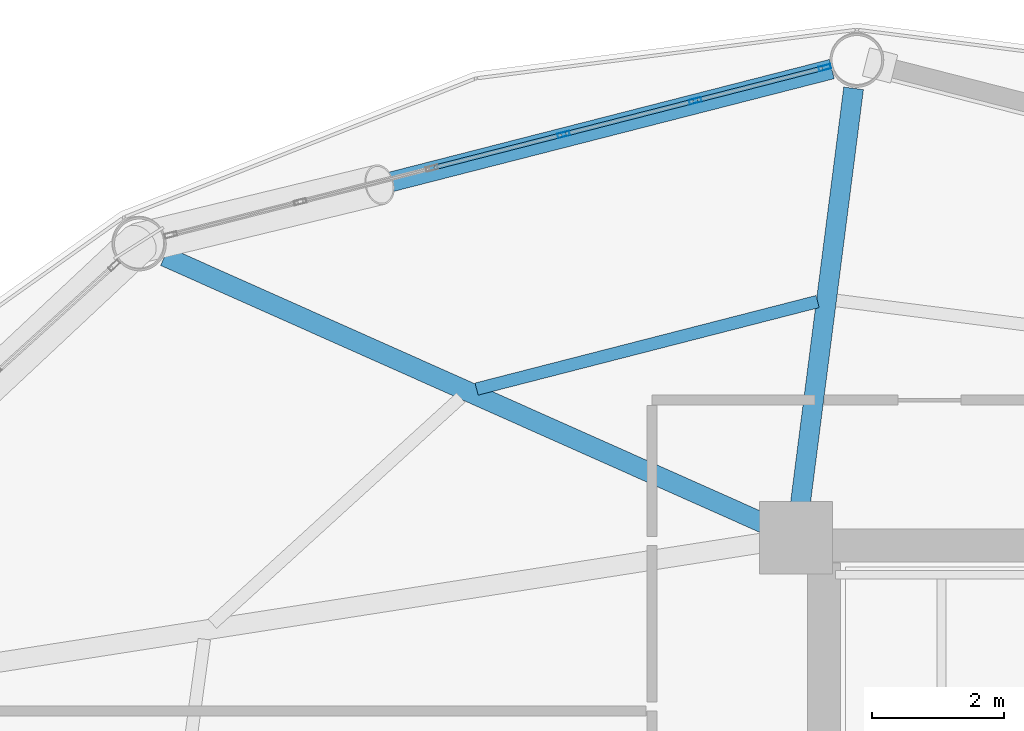
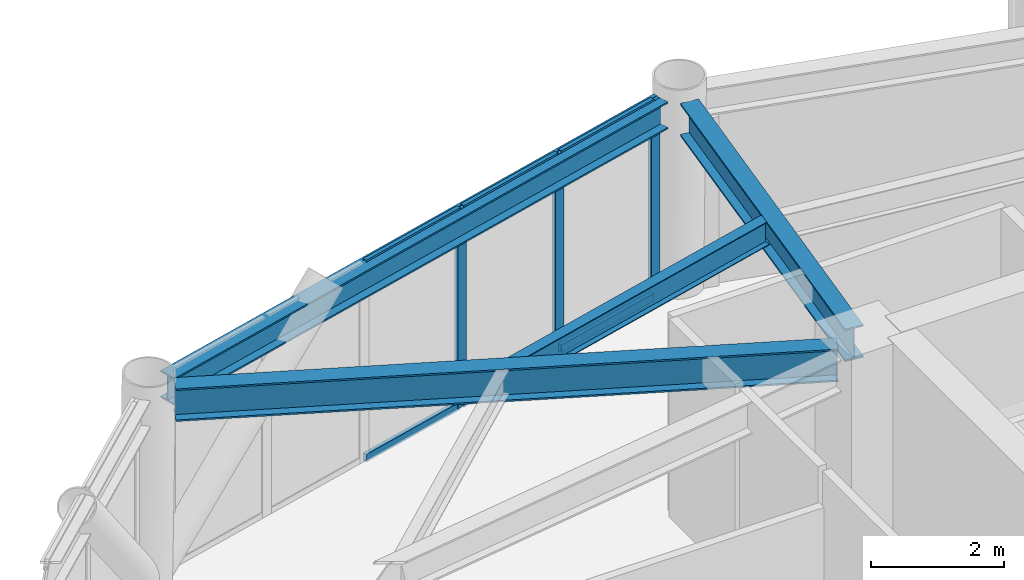
# One storey, part 17 of 26: 9 members, 4 beams, 1 element without a shape of its own.
"""IFC4 building model written with IfcOpenShell, lengths in metres."""

from ifc_helpers import new_model, si_unit, direction, frame, origin, origin_2d, place, context, subcontext, project, spatial, hollow_rectangle, i_section, extrude, material, layer, layer_set, material_profile, profile_set, type_object, element, aggregate, save


model = new_model("IFC4")

# Units and contexts
model_context = context("Model", 3, precision=1e-05, world=origin(), true_north=direction((0.0, 1.0)))
body_context = subcontext(model_context, "Body", "Model", "MODEL_VIEW")
ifc_project = project(units=[si_unit("LENGTHUNIT", "METRE"), si_unit("AREAUNIT", "SQUARE_METRE"), si_unit("VOLUMEUNIT", "CUBIC_METRE"), si_unit("PLANEANGLEUNIT", "RADIAN"), si_unit("MASSUNIT", "GRAM", prefix="KILO")], contexts=[model_context])

# Site, building, storey
site_placement = place(None, origin())
site = spatial("IfcSite", under=ifc_project, at=site_placement, CompositionType="ELEMENT")
building_placement = place(site_placement, origin())
building = spatial("IfcBuilding", under=site, at=building_placement, Name="Varnakorn Sky Granary", CompositionType="ELEMENT")
storey_placement = place(building_placement, frame((0.0, 0.0, 87.60009765625)))
storey = spatial("IfcBuildingStorey", under=building, at=storey_placement, Name="L21", CompositionType="ELEMENT", Elevation=87.60009765625)

# Beams
ifc_material_1 = material(Name="Steel S355JR", Category="steel")
ifc_material_profile_1 = material_profile(ifc_material_1, i_section(OverallWidth=0.300048828125, OverallDepth=0.60009765625, WebThickness=0.015380859375, FlangeThickness=0.030029296875, at=origin_2d()), Name="HE 600 B")
ifc_profile_set_1 = profile_set([ifc_material_profile_1], Name="Steel S355JR")
beam_type_1 = type_object("IfcBeamType", Name="BM-RAD-Z2", PredefinedType="BEAM", material=ifc_profile_set_1)
beam_1_placement = place(storey_placement, frame((-2.36669921875, 13.03662109375, 3.33984375), z_axis=(0.127057985668, 0.991895290985, 0.0), x_axis=(-0.991895290985, 0.127057985668, 0.0)))
element("IfcBeam", 1, at=beam_1_placement, inside=storey, type_object=beam_type_1, Name="Radial Floor Girder RG04 L21", PredefinedType="BEAM", context=body_context, shape_type="SweptSolid", body=[
    extrude(i_section(OverallWidth=0.300048828125, OverallDepth=0.60009765625, WebThickness=0.015380859375, FlangeThickness=0.030029296875, at=origin_2d()), origin(), (0.0, 0.0, 1.0), 6.42919921875),
])
beam_2_placement = place(storey_placement, frame((-2.8037109375, 12.791015625, 3.33984375), z_axis=(-0.913458910363, 0.406930975816, 0.0), x_axis=(-0.406930975816, -0.913458910363, 0.0)))
element("IfcBeam", 2, at=beam_2_placement, inside=storey, type_object=beam_type_1, Name="Radial Floor Girder RG05 L21", PredefinedType="BEAM", context=body_context, shape_type="SweptSolid", body=[
    extrude(i_section(OverallWidth=0.300048828125, OverallDepth=0.60009765625, WebThickness=0.015380859375, FlangeThickness=0.030029296875, at=origin_2d()), origin(), (0.0, 0.0, 1.0), 10.03076171875),
])
ifc_material_profile_2 = material_profile(ifc_material_1, i_section(OverallWidth=0.18994140625, OverallDepth=0.449951171875, WebThickness=0.009521484375, FlangeThickness=0.0146484375, at=origin_2d()), Name="IPE 450")
ifc_profile_set_2 = profile_set([ifc_material_profile_2], Name="Steel S355JR")
beam_type_2 = type_object("IfcBeamType", Name="BM-SEC-Z2", PredefinedType="BEAM", material=ifc_profile_set_2)
beam_3_placement = place(storey_placement, frame((-2.09375, 16.190185546875, 3.414794921875), z_axis=(-0.968596205517, -0.248639077096, 0.0), x_axis=(0.248639077096, -0.968596205517, 0.0)))
element("IfcBeam", 3, at=beam_3_placement, inside=storey, type_object=beam_type_2, Name="Secondary Floor Chord Beam MSB04 L21", PredefinedType="BEAM", context=body_context, shape_type="SweptSolid", body=[
    extrude(i_section(OverallWidth=0.18994140625, OverallDepth=0.449951171875, WebThickness=0.009521484375, FlangeThickness=0.0146484375, at=origin_2d()), origin(), (0.0, 0.0, 1.0), 5.322998046875),
])
ifc_material_profile_3 = material_profile(ifc_material_1, i_section(OverallWidth=0.300048828125, OverallDepth=0.5, WebThickness=0.014404296875, FlangeThickness=0.028076171875, at=origin_2d()), Name="HE 500 B")
ifc_profile_set_3 = profile_set([ifc_material_profile_3], Name="Steel S355JR")
beam_type_3 = type_object("IfcBeamType", Name="BM-SPD-Z2", PredefinedType="SPANDREL", material=ifc_profile_set_3)
beam_4_placement = place(storey_placement, frame((-1.87939453125, 19.704833984375, 3.389892578125), z_axis=(-0.968782625978, -0.247911725424, 0.0), x_axis=(0.247911725424, -0.968782625978, 0.0)))
element("IfcBeam", 4, at=beam_4_placement, inside=storey, type_object=beam_type_3, Name="Perimeter Spandrel Ring Beam RB04 L21", PredefinedType="SPANDREL", context=body_context, shape_type="SweptSolid", body=[
    extrude(i_section(OverallWidth=0.300048828125, OverallDepth=0.5, WebThickness=0.014404296875, FlangeThickness=0.028076171875, at=origin_2d()), origin(), (0.0, 0.0, 1.0), 10.389404296875),
])

# Curtain wall, members
ifc_material_2 = material(Name="Anodised Bronze Aluminium Alloy 6063-T6", Category="aluminium")
ifc_layer = layer(ifc_material_2, 0.18994140625, Name="Anodised Bronze Aluminium Alloy 6063-T6")
ifc_layer_set = layer_set([ifc_layer], Name="Anodised Bronze Aluminium Alloy 6063-T6")
curtain_wall_type = type_object("IfcCurtainWallType", Name="CW-FRM-1", PredefinedType="USERDEFINED", material=ifc_layer_set)
curtain_wall_placement = place(storey_placement, origin())
curtain_wall = element("IfcCurtainWall", 5, at=curtain_wall_placement, inside=storey, type_object=curtain_wall_type, Name="Unitised Curtain Wall CW3 CW-L21-B04", ObjectType="CURTAIN WALL", PredefinedType="USERDEFINED")
ifc_material_profile_4 = material_profile(ifc_material_2, hollow_rectangle(XDim=0.070068359375, YDim=0.18505859375, WallThickness=0.00390625, at=origin_2d()), Name="ALU MULL 70x185")
ifc_profile_set_4 = profile_set([ifc_material_profile_4], Name="Anodised Bronze Aluminium Alloy 6063-T6")
member_type_1 = type_object("IfcMemberType", Name="CW-FRM-1-MULL", PredefinedType="MULLION", material=ifc_profile_set_4)
member_1_placement = place(storey_placement, frame((-5.933349609375, 18.71630859375, 0.0), z_axis=(0.0, 0.0, 1.0), x_axis=(-0.247728719051, 0.96882943894, 0.0)))
member_1 = element("IfcMember", 6, at=member_1_placement, type_object=member_type_1, Name="CW3 mullion 4", PredefinedType="MULLION", context=body_context, shape_type="SweptSolid", body=[
    extrude(hollow_rectangle(XDim=0.070068359375, YDim=0.18505859375, WallThickness=0.00390625, at=origin_2d()), origin(), (0.0, 0.0, 1.0), 3.639892578125),
])
member_2_placement = place(storey_placement, frame((-3.942626953125, 19.225341796875, 0.0), z_axis=(0.0, 0.0, 1.0), x_axis=(-0.247728719051, 0.96882943894, 0.0)))
member_2 = element("IfcMember", 7, at=member_2_placement, type_object=member_type_1, Name="CW3 mullion 5", PredefinedType="MULLION", context=body_context, shape_type="SweptSolid", body=[
    extrude(hollow_rectangle(XDim=0.070068359375, YDim=0.18505859375, WallThickness=0.00390625, at=origin_2d()), origin(), (0.0, 0.0, 1.0), 3.639892578125),
])
member_3_placement = place(storey_placement, frame((-1.98583984375, 19.725830078125, 0.0), z_axis=(0.0, 0.0, 1.0), x_axis=(-0.247728719051, 0.96882943894, 0.0)))
member_3 = element("IfcMember", 8, at=member_3_placement, type_object=member_type_1, Name="CW3 mullion 6", PredefinedType="MULLION", context=body_context, shape_type="SweptSolid", body=[
    extrude(hollow_rectangle(XDim=0.070068359375, YDim=0.18505859375, WallThickness=0.00390625, at=origin_2d()), origin(), (0.0, 0.0, 1.0), 3.639892578125),
])
ifc_material_profile_5 = material_profile(ifc_material_2, hollow_rectangle(XDim=0.070068359375, YDim=0.139892578125, WallThickness=0.00341796875, at=origin_2d()), Name="ALU TRAN 70x140")
ifc_profile_set_5 = profile_set([ifc_material_profile_5], Name="Anodised Bronze Aluminium Alloy 6063-T6")
member_type_2 = type_object("IfcMemberType", Name="CW-FRM-1-TRAN", PredefinedType="USERDEFINED", material=ifc_profile_set_5)
member_4_placement = place(storey_placement, frame((-7.89013671875, 18.216064453125, 0.034912109375), z_axis=(0.968826053327, 0.247741959294, 0.0), x_axis=(-0.247741959294, 0.968826053327, 0.0)))
member_4 = element("IfcMember", 9, at=member_4_placement, type_object=member_type_2, Name="CW3 transom 3.1", ObjectType="TRANSOM", PredefinedType="USERDEFINED", context=body_context, shape_type="SweptSolid", body=[
    extrude(hollow_rectangle(XDim=0.070068359375, YDim=0.139892578125, WallThickness=0.00341796875, at=origin_2d()), origin(), (0.0, 0.0, 1.0), 1.984619140625),
])
member_5_placement = place(storey_placement, frame((-7.89013671875, 18.216064453125, 3.60498046875), z_axis=(0.968826053327, 0.247741959294, 0.0), x_axis=(-0.247741959294, 0.968826053327, 0.0)))
member_5 = element("IfcMember", 10, at=member_5_placement, type_object=member_type_2, Name="CW3 transom 3.2", ObjectType="TRANSOM", PredefinedType="USERDEFINED", context=body_context, shape_type="SweptSolid", body=[
    extrude(hollow_rectangle(XDim=0.070068359375, YDim=0.139892578125, WallThickness=0.00341796875, at=origin_2d()), origin(), (0.0, 0.0, 1.0), 1.984619140625),
])
member_6_placement = place(storey_placement, frame((-5.8994140625, 18.72509765625, 0.034912109375), z_axis=(0.968826053327, 0.247741959294, 0.0), x_axis=(-0.247741959294, 0.968826053327, 0.0)))
member_6 = element("IfcMember", 11, at=member_6_placement, type_object=member_type_2, Name="CW3 transom 4.1", ObjectType="TRANSOM", PredefinedType="USERDEFINED", context=body_context, shape_type="SweptSolid", body=[
    extrude(hollow_rectangle(XDim=0.070068359375, YDim=0.139892578125, WallThickness=0.00341796875, at=origin_2d()), origin(), (0.0, 0.0, 1.0), 1.984619140625),
])
member_7_placement = place(storey_placement, frame((-5.8994140625, 18.72509765625, 3.60498046875), z_axis=(0.968826053327, 0.247741959294, 0.0), x_axis=(-0.247741959294, 0.968826053327, 0.0)))
member_7 = element("IfcMember", 12, at=member_7_placement, type_object=member_type_2, Name="CW3 transom 4.2", ObjectType="TRANSOM", PredefinedType="USERDEFINED", context=body_context, shape_type="SweptSolid", body=[
    extrude(hollow_rectangle(XDim=0.070068359375, YDim=0.139892578125, WallThickness=0.00341796875, at=origin_2d()), origin(), (0.0, 0.0, 1.0), 1.984619140625),
])
member_8_placement = place(storey_placement, frame((-3.90869140625, 19.234130859375, 0.034912109375), z_axis=(0.968839751622, 0.24768838422, 0.0), x_axis=(-0.24768838422, 0.968839751622, 0.0)))
member_8 = element("IfcMember", 13, at=member_8_placement, type_object=member_type_2, Name="CW3 transom 5.1", ObjectType="TRANSOM", PredefinedType="USERDEFINED", context=body_context, shape_type="SweptSolid", body=[
    extrude(hollow_rectangle(XDim=0.070068359375, YDim=0.139892578125, WallThickness=0.00341796875, at=origin_2d()), origin(), (0.0, 0.0, 1.0), 1.94970703125),
])
member_9_placement = place(storey_placement, frame((-3.90869140625, 19.234130859375, 3.60498046875), z_axis=(0.968839751622, 0.24768838422, 0.0), x_axis=(-0.24768838422, 0.968839751622, 0.0)))
member_9 = element("IfcMember", 14, at=member_9_placement, type_object=member_type_2, Name="CW3 transom 5.2", ObjectType="TRANSOM", PredefinedType="USERDEFINED", context=body_context, shape_type="SweptSolid", body=[
    extrude(hollow_rectangle(XDim=0.070068359375, YDim=0.139892578125, WallThickness=0.00341796875, at=origin_2d()), origin(), (0.0, 0.0, 1.0), 1.94970703125),
])
aggregate(curtain_wall, [member_1, member_2, member_3, member_4, member_5, member_6, member_7, member_8, member_9])

save(model, "model.ifc")
